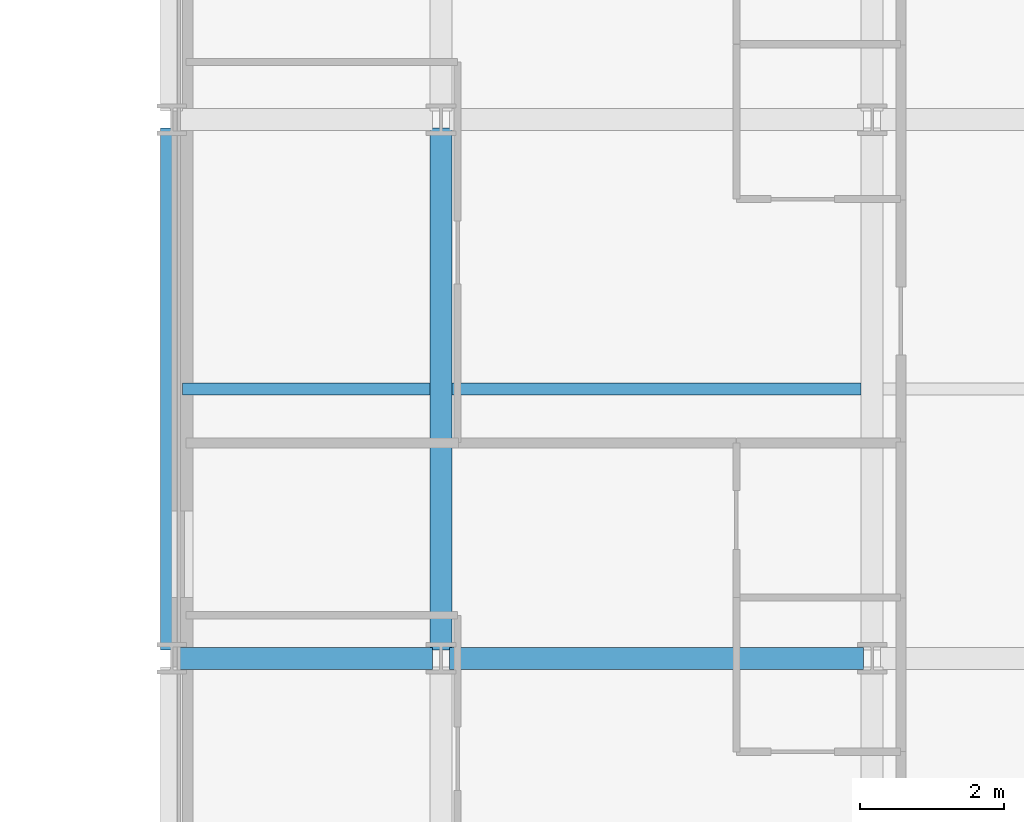
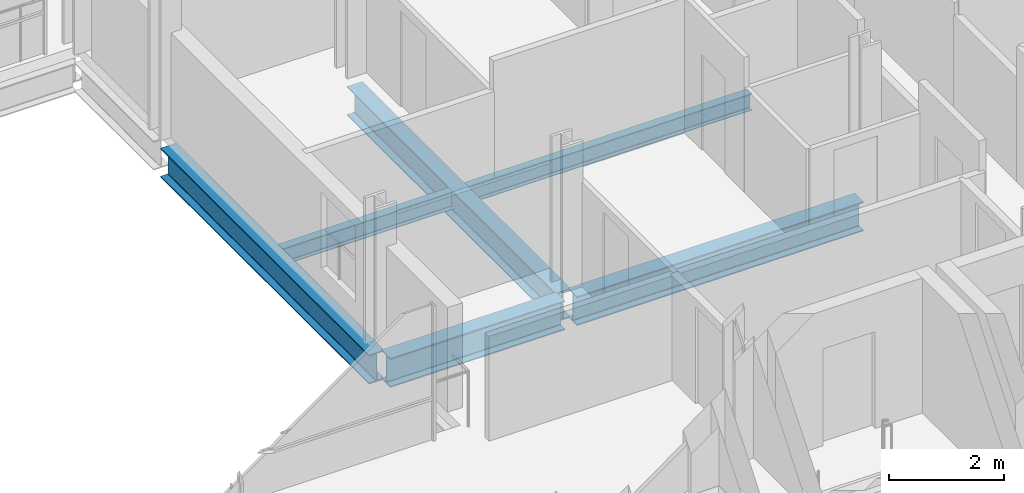
# One storey, part 16 of 41: 6 beams.
"""IFC4 building model written with IfcOpenShell, lengths in metres."""

from ifc_helpers import new_model, si_unit, direction, frame, origin, origin_2d, place, context, subcontext, project, spatial, i_section, extrude, material, material_profile, profile_set, type_object, element, save


model = new_model("IFC4")

# Units and contexts
model_context = context("Model", 3, precision=1e-05, world=origin(), true_north=direction((0.0, 1.0)))
body_context = subcontext(model_context, "Body", "Model", "MODEL_VIEW")
ifc_project = project(units=[si_unit("LENGTHUNIT", "METRE"), si_unit("AREAUNIT", "SQUARE_METRE"), si_unit("VOLUMEUNIT", "CUBIC_METRE"), si_unit("PLANEANGLEUNIT", "RADIAN"), si_unit("MASSUNIT", "GRAM", prefix="KILO")], contexts=[model_context])

# Site, building, storey
site_placement = place(None, origin())
site = spatial("IfcSite", under=ifc_project, at=site_placement, CompositionType="ELEMENT")
building_placement = place(site_placement, origin())
building = spatial("IfcBuilding", under=site, at=building_placement, Name="Brevholm Reach", CompositionType="ELEMENT")
storey_placement = place(building_placement, frame((0.0, 0.0, 86.89990234375)))
storey = spatial("IfcBuildingStorey", under=building, at=storey_placement, Name="L25", CompositionType="ELEMENT", Elevation=86.89990234375)

# Beams
ifc_material_1 = material(Name="Structural Steel S355J2", Category="steel")
ifc_material_profile_1 = material_profile(ifc_material_1, i_section(OverallWidth=0.17138671875, OverallDepth=0.35498046875, WebThickness=0.00732421875, FlangeThickness=0.011474609375, FilletRadius=0.01025390625, at=origin_2d()), Name="UKB 356x171x51")
ifc_profile_set_1 = profile_set([ifc_material_profile_1], Name="Structural Steel S355J2")
beam_type_1 = type_object("IfcBeamType", Name="BM-B356", PredefinedType="BEAM", material=ifc_profile_set_1)
beam_1_placement = place(storey_placement, frame((38.403564453125, 19.75, -0.407470703125), z_axis=(1.0, 0.0, 0.0), x_axis=(0.0, 1.0, 0.0)))
element("IfcBeam", 1, at=beam_1_placement, inside=storey, type_object=beam_type_1, Name="L25 Composite Secondary Floor Beam", PredefinedType="BEAM", context=body_context, shape_type="SweptSolid", body=[
    extrude(i_section(OverallWidth=0.17138671875, OverallDepth=0.35498046875, WebThickness=0.00732421875, FlangeThickness=0.011474609375, FilletRadius=0.01025390625, at=origin_2d()), origin(), (0.0, 0.0, 1.0), 3.44287109375),
])
beam_2_placement = place(storey_placement, frame((42.153564453125, 19.75, -0.407470703125), z_axis=(1.0, 0.0, 0.0), x_axis=(0.0, 1.0, 0.0)))
element("IfcBeam", 2, at=beam_2_placement, inside=storey, type_object=beam_type_1, Name="L25 Composite Secondary Floor Beam", PredefinedType="BEAM", context=body_context, shape_type="SweptSolid", body=[
    extrude(i_section(OverallWidth=0.17138671875, OverallDepth=0.35498046875, WebThickness=0.00732421875, FlangeThickness=0.011474609375, FilletRadius=0.01025390625, at=origin_2d()), origin(), (0.0, 0.0, 1.0), 5.69287109375),
])
ifc_material_2 = material(Name="Structural Steel S355J2", Category="steel")
ifc_material_profile_2 = material_profile(ifc_material_2, i_section(OverallWidth=0.30712890625, OverallDepth=0.6201171875, WebThickness=0.01416015625, FlangeThickness=0.023681640625, FilletRadius=0.0166015625, at=origin_2d()), Name="UKB 610x305x179")
ifc_profile_set_2 = profile_set([ifc_material_profile_2], Name="Structural Steel S355J2")
beam_type_2 = type_object("IfcBeamType", Name="BM-UKB610H", PredefinedType="USERDEFINED", material=ifc_profile_set_2)
beam_3_placement = place(storey_placement, frame((38.3701171875, 16.0, -0.5400390625), z_axis=(1.0, 0.0, 0.0), x_axis=(0.0, 1.0, 0.0)))
element("IfcBeam", 3, at=beam_3_placement, inside=storey, type_object=beam_type_2, Name="L25 G-06 Framing Beam", ObjectType="GIRDER", PredefinedType="USERDEFINED", context=body_context, shape_type="SweptSolid", body=[
    extrude(i_section(OverallWidth=0.30712890625, OverallDepth=0.6201171875, WebThickness=0.01416015625, FlangeThickness=0.023681640625, FilletRadius=0.0166015625, at=origin_2d()), origin(), (0.0, 0.0, 1.0), 3.509765625),
])
beam_4_placement = place(storey_placement, frame((42.1201171875, 16.0, -0.5400390625), z_axis=(1.0, 0.0, 0.0), x_axis=(0.0, 1.0, 0.0)))
element("IfcBeam", 4, at=beam_4_placement, inside=storey, type_object=beam_type_2, Name="L25 G-06 Framing Beam", ObjectType="GIRDER", PredefinedType="USERDEFINED", context=body_context, shape_type="SweptSolid", body=[
    extrude(i_section(OverallWidth=0.30712890625, OverallDepth=0.6201171875, WebThickness=0.01416015625, FlangeThickness=0.023681640625, FilletRadius=0.0166015625, at=origin_2d()), origin(), (0.0, 0.0, 1.0), 5.759765625),
])
for number, where, z_axis, x_axis, name in (
    (5, (38.25, 16.1201171875, -0.5400390625), (0.0, 1.0, 0.0), (-1.0, 0.0, 0.0), "L25 G-06 Framing Beam"),
    (6, (42.0, 16.1201171875, -0.5400390625), (0.0, 1.0, 0.0), (-1.0, 0.0, 0.0), "L25 G-06 Framing Beam"),
):
    element("IfcBeam", number, at=place(storey_placement, frame(where, z_axis=z_axis, x_axis=x_axis)), inside=storey, type_object=beam_type_2, Name=name, ObjectType="GIRDER", PredefinedType="USERDEFINED", context=body_context, shape_type="SweptSolid", body=[
        extrude(i_section(OverallWidth=0.30712890625, OverallDepth=0.6201171875, WebThickness=0.01416015625, FlangeThickness=0.023681640625, FilletRadius=0.0166015625, at=origin_2d()), origin(), (0.0, 0.0, 1.0), 7.259765625),
    ])

save(model, "model.ifc")
